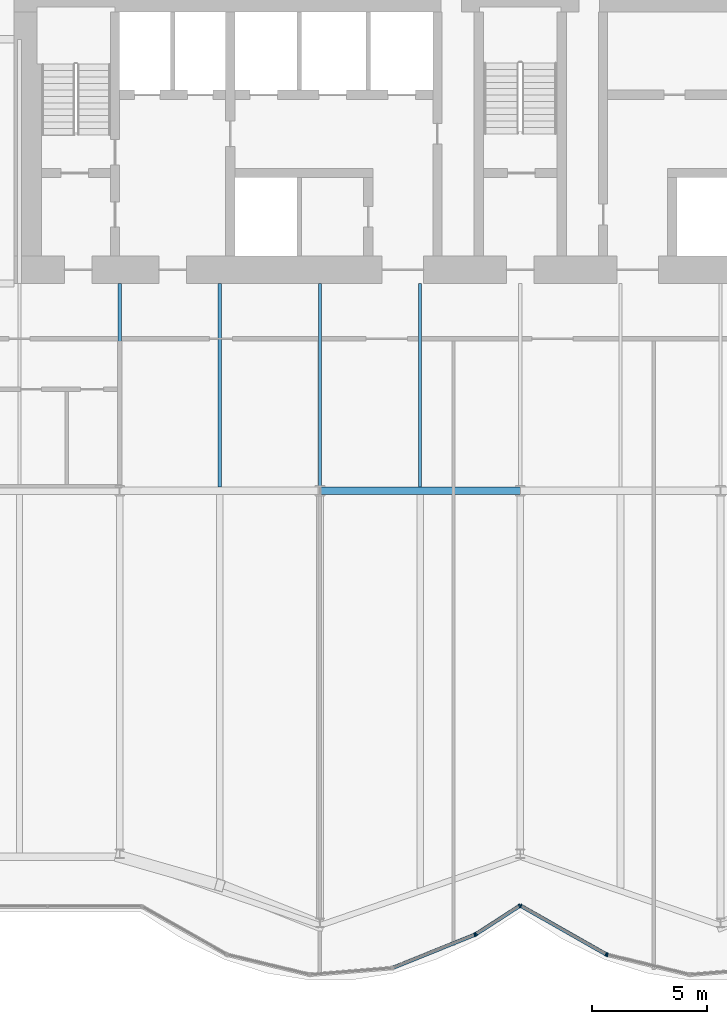
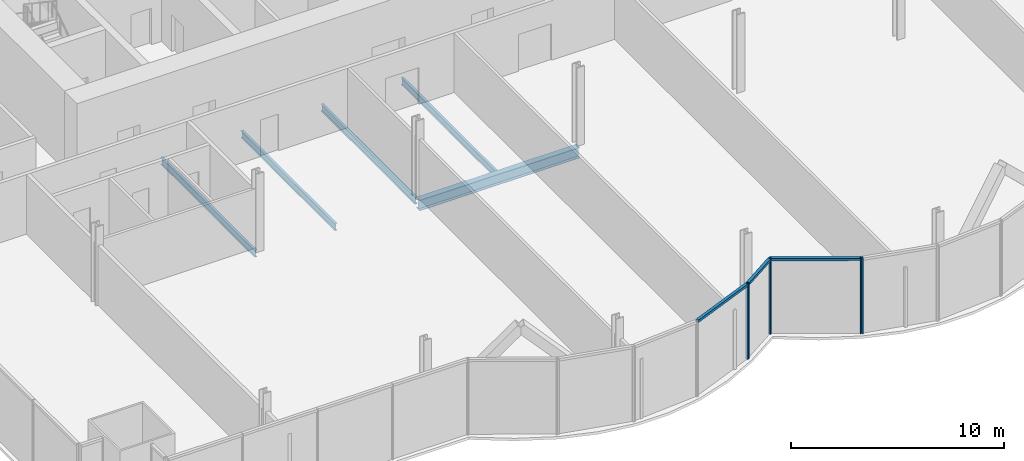
# One storey, part 7 of 21: 9 members, 5 beams, 2 elements without a shape of their own.
"""IFC4 building model written with IfcOpenShell, lengths in metres."""

from ifc_helpers import new_model, si_unit, direction, frame, origin, origin_2d, place, context, subcontext, project, spatial, rectangle, i_section, extrude, material, material_profile, profile_set, type_object, element, aggregate, save


model = new_model("IFC4")

# Units and contexts
model_context = context("Model", 3, precision=1e-05, world=origin(), true_north=direction((0.0, 1.0)))
body_context = subcontext(model_context, "Body", "Model", "MODEL_VIEW")
ifc_project = project(units=[si_unit("LENGTHUNIT", "METRE"), si_unit("AREAUNIT", "SQUARE_METRE"), si_unit("VOLUMEUNIT", "CUBIC_METRE"), si_unit("PLANEANGLEUNIT", "RADIAN"), si_unit("MASSUNIT", "GRAM", prefix="KILO")], contexts=[model_context])

# Site, building, storey
site_placement = place(None, origin())
site = spatial("IfcSite", under=ifc_project, at=site_placement, CompositionType="ELEMENT")
building_placement = place(site_placement, origin())
building = spatial("IfcBuilding", under=site, at=building_placement, Name="Bicima Exchange Tower", CompositionType="ELEMENT")
storey_placement = place(building_placement, frame((0.0, 0.0, 66.5)))
storey = spatial("IfcBuildingStorey", under=building, at=storey_placement, Name="L13", CompositionType="ELEMENT", Elevation=66.5)

# Beams
ifc_material_1 = material(Name="Steel ASTM A992 Gr 50", Category="steel")
ifc_material_profile_1 = material_profile(ifc_material_1, i_section(OverallWidth=0.140380859375, OverallDepth=0.40380859375, WebThickness=0.007080078125, FlangeThickness=0.01123046875, at=origin_2d()))
ifc_profile_set_1 = profile_set([ifc_material_profile_1], Name="Steel ASTM A992 Gr 50")
beam_type_1 = type_object("IfcBeamType", Name="Floor beam W16x31", PredefinedType="JOIST", material=ifc_profile_set_1)
for number, where, z_axis, x_axis, name in (
    (1, (-17.39990234375, -13.0, -0.351806640625), (0.0, -1.0, 0.0), (1.0, 0.0, 0.0), "Floor beam"),
    (2, (-13.050048828125, -13.0, -0.351806640625), (0.0, -1.0, 0.0), (1.0, 0.0, 0.0), "Floor beam"),
    (3, (-8.699951171875, -13.0, -0.351806640625), (0.0, -1.0, 0.0), (1.0, 0.0, 0.0), "Floor beam"),
    (4, (-4.35009765625, -13.0, -0.351806640625), (0.0, -1.0, 0.0), (1.0, 0.0, 0.0), "Floor beam"),
):
    element("IfcBeam", number, at=place(storey_placement, frame(where, z_axis=z_axis, x_axis=x_axis)), inside=storey, type_object=beam_type_1, Name=name, PredefinedType="JOIST", context=body_context, shape_type="SweptSolid", body=[
        extrude(i_section(OverallWidth=0.140380859375, OverallDepth=0.40380859375, WebThickness=0.007080078125, FlangeThickness=0.01123046875, at=origin_2d()), origin(), (0.0, 0.0, 1.0), 8.83740234375),
    ])

# Curtain wall, members
ifc_material_2 = material(Name="Anodised bronze aluminium", Category="aluminium")
curtain_wall_type = type_object("IfcCurtainWallType", Name="Front glass wall", PredefinedType="NOTDEFINED", material=ifc_material_2)
curtain_wall_1_placement = place(storey_placement, origin())
curtain_wall_1 = element("IfcCurtainWall", 5, at=curtain_wall_1_placement, inside=storey, type_object=curtain_wall_type, Name="Front glass wall L13 run 6", PredefinedType="NOTDEFINED")
ifc_material_profile_2 = material_profile(ifc_material_2, rectangle(XDim=0.159912109375, YDim=0.06005859375, at=origin_2d()))
ifc_profile_set_2 = profile_set([ifc_material_profile_2], Name="Anodised bronze aluminium")
member_type_1 = type_object("IfcMemberType", Name="Front glass wall mullion 60 x 160", PredefinedType="MULLION", material=ifc_profile_set_2)
member_1_placement = place(storey_placement, frame((-1.97412109375, -41.28759765625, 0.0), z_axis=(0.0, 0.0, 1.0), x_axis=(-0.374705304, 0.92714396679, 0.0)))
member_1 = element("IfcMember", 6, at=member_1_placement, type_object=member_type_1, Name="Front glass wall mullion 2", PredefinedType="MULLION", context=body_context, shape_type="SweptSolid", body=[
    extrude(rectangle(XDim=0.159912109375, YDim=0.06005859375, at=origin_2d()), origin(), (0.0, 0.0, 1.0), 4.35009765625),
])
member_2_placement = place(storey_placement, frame((-1.921142578125, -41.260009765625, 0.0), z_axis=(0.0, 0.0, 1.0), x_axis=(-0.542897457326, 0.839798994301, 0.0)))
member_2 = element("IfcMember", 7, at=member_2_placement, type_object=member_type_1, Name="Front glass wall mullion 1", PredefinedType="MULLION", context=body_context, shape_type="SweptSolid", body=[
    extrude(rectangle(XDim=0.159912109375, YDim=0.06005859375, at=origin_2d()), origin(), (0.0, 0.0, 1.0), 4.35009765625),
])
member_3_placement = place(storey_placement, frame((-0.025146484375, -40.034423828125, 0.0), z_axis=(0.0, 0.0, 1.0), x_axis=(-0.542897457326, 0.839798994301, 0.0)))
member_3 = element("IfcMember", 8, at=member_3_placement, type_object=member_type_1, Name="Front glass wall mullion 2", PredefinedType="MULLION", context=body_context, shape_type="SweptSolid", body=[
    extrude(rectangle(XDim=0.159912109375, YDim=0.06005859375, at=origin_2d()), origin(), (0.0, 0.0, 1.0), 4.35009765625),
])

curtain_wall_2_placement = place(storey_placement, origin())
curtain_wall_2 = element("IfcCurtainWall", 9, at=curtain_wall_2_placement, inside=storey, type_object=curtain_wall_type, Name="Front glass wall L13 run 11", PredefinedType="NOTDEFINED")
member_4_placement = place(storey_placement, frame((0.026123046875, -40.032958984375, 0.0), z_axis=(0.0, 0.0, 1.0), x_axis=(0.494330311331, 0.869274147378, 0.0)))
member_4 = element("IfcMember", 10, at=member_4_placement, type_object=member_type_1, Name="Front glass wall mullion 1", PredefinedType="MULLION", context=body_context, shape_type="SweptSolid", body=[
    extrude(rectangle(XDim=0.159912109375, YDim=0.06005859375, at=origin_2d()), origin(), (0.0, 0.0, 1.0), 4.35009765625),
])
member_5_placement = place(storey_placement, frame((3.7265625, -42.137451171875, 0.0), z_axis=(0.0, 0.0, 1.0), x_axis=(0.494330311331, 0.869274147378, 0.0)))
member_5 = element("IfcMember", 11, at=member_5_placement, type_object=member_type_1, Name="Front glass wall mullion 2", PredefinedType="MULLION", context=body_context, shape_type="SweptSolid", body=[
    extrude(rectangle(XDim=0.159912109375, YDim=0.06005859375, at=origin_2d()), origin(), (0.0, 0.0, 1.0), 4.35009765625),
])
member_6_placement = place(storey_placement, frame((3.781982421875, -42.1591796875, 0.0), z_axis=(0.0, 0.0, 1.0), x_axis=(0.235681529503, 0.971830343553, 0.0)))
member_6 = element("IfcMember", 12, at=member_6_placement, type_object=member_type_1, Name="Front glass wall mullion 1", PredefinedType="MULLION", context=body_context, shape_type="SweptSolid", body=[
    extrude(rectangle(XDim=0.159912109375, YDim=0.06005859375, at=origin_2d()), origin(), (0.0, 0.0, 1.0), 4.35009765625),
])

# Member
ifc_material_profile_3 = material_profile(ifc_material_2, rectangle(XDim=0.159912109375, YDim=0.139892578125, at=origin_2d()))
ifc_profile_set_3 = profile_set([ifc_material_profile_3], Name="Anodised bronze aluminium")
member_type_2 = type_object("IfcMemberType", Name="Front glass wall transom 140 x 160", PredefinedType="USERDEFINED", material=ifc_profile_set_3)
member_7_placement = place(storey_placement, frame((-5.498291015625, -42.7119140625, 4.280029296875), z_axis=(0.927140215882, 0.374714584842, 0.0), x_axis=(-0.374714584842, 0.927140215882, 0.0)))
member_7 = element("IfcMember", 13, at=member_7_placement, type_object=member_type_2, Name="Front glass wall transom 1.1", ObjectType="TRANSOM", PredefinedType="USERDEFINED", context=body_context, shape_type="SweptSolid", body=[
    extrude(rectangle(XDim=0.159912109375, YDim=0.139892578125, at=origin_2d()), origin(), (0.0, 0.0, 1.0), 3.77099609375),
])

member_8_placement = place(storey_placement, frame((-1.89599609375, -41.243896484375, 4.280029296875), z_axis=(0.839811483481, 0.542878137536, 0.0), x_axis=(-0.542878137536, 0.839811483481, 0.0)))
member_8 = element("IfcMember", 14, at=member_8_placement, type_object=member_type_2, Name="Front glass wall transom 1.1", ObjectType="TRANSOM", PredefinedType="USERDEFINED", context=body_context, shape_type="SweptSolid", body=[
    extrude(rectangle(XDim=0.159912109375, YDim=0.139892578125, at=origin_2d()), origin(), (0.0, 0.0, 1.0), 2.19775390625),
])

aggregate(curtain_wall_1, [member_1, member_7, member_2, member_3, member_8])

member_9_placement = place(storey_placement, frame((0.05224609375, -40.0478515625, 4.280029296875), z_axis=(0.869265121745, -0.494346182466, 0.0), x_axis=(0.494346182466, 0.869265121745, 0.0)))
member_9 = element("IfcMember", 15, at=member_9_placement, type_object=member_type_2, Name="Front glass wall transom 1.1", ObjectType="TRANSOM", PredefinedType="USERDEFINED", context=body_context, shape_type="SweptSolid", body=[
    extrude(rectangle(XDim=0.159912109375, YDim=0.139892578125, at=origin_2d()), origin(), (0.0, 0.0, 1.0), 4.19677734375),
])

aggregate(curtain_wall_2, [member_4, member_5, member_9, member_6])

# Beam
ifc_material_profile_4 = material_profile(ifc_material_1, i_section(OverallWidth=0.3251953125, OverallDepth=0.612060546875, WebThickness=0.0126953125, FlangeThickness=0.01904296875, at=origin_2d()))
ifc_profile_set_4 = profile_set([ifc_material_profile_4], Name="Steel ASTM A992 Gr 50")
beam_type_2 = type_object("IfcBeamType", Name="Row girder W24x104", PredefinedType="BEAM", material=ifc_profile_set_4)
beam_placement = place(storey_placement, frame((-8.699951171875, -22.0, -0.4560546875), z_axis=(1.0, 0.0, 0.0), x_axis=(0.0, 1.0, 0.0)))
element("IfcBeam", 16, at=beam_placement, inside=storey, type_object=beam_type_2, Name="Row girder", PredefinedType="BEAM", context=body_context, shape_type="SweptSolid", body=[
    extrude(i_section(OverallWidth=0.3251953125, OverallDepth=0.612060546875, WebThickness=0.0126953125, FlangeThickness=0.01904296875, at=origin_2d()), origin(), (0.0, 0.0, 1.0), 8.699951171875),
])

save(model, "model.ifc")
